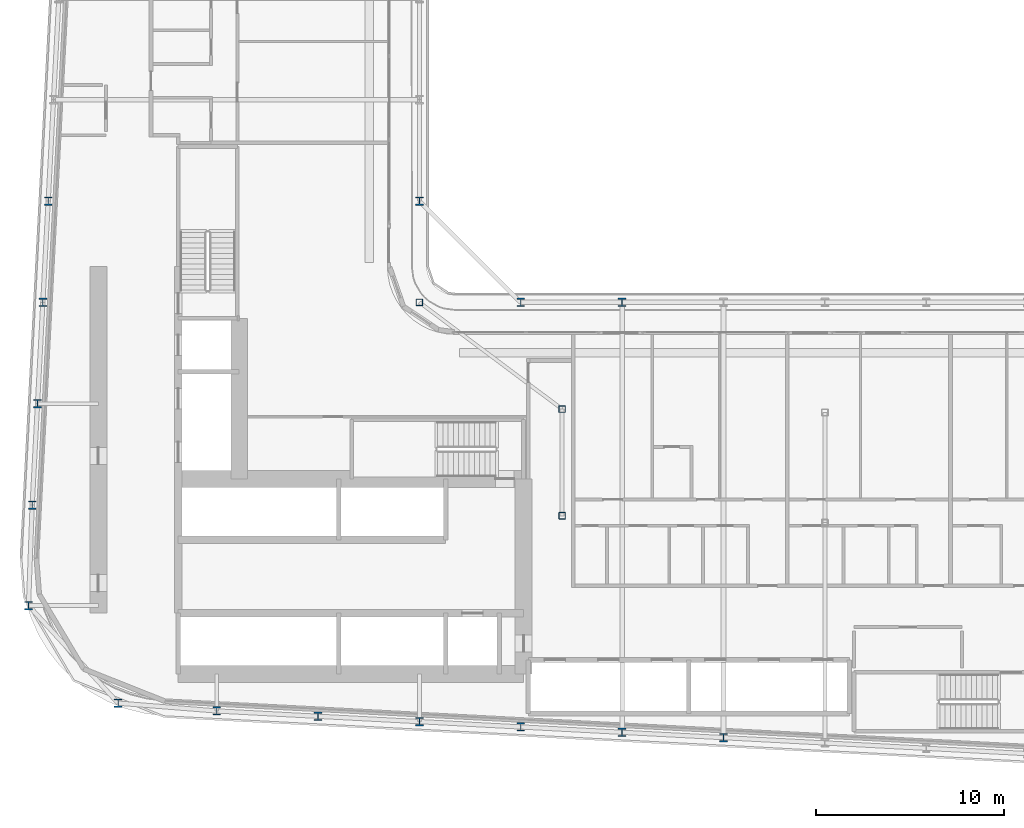
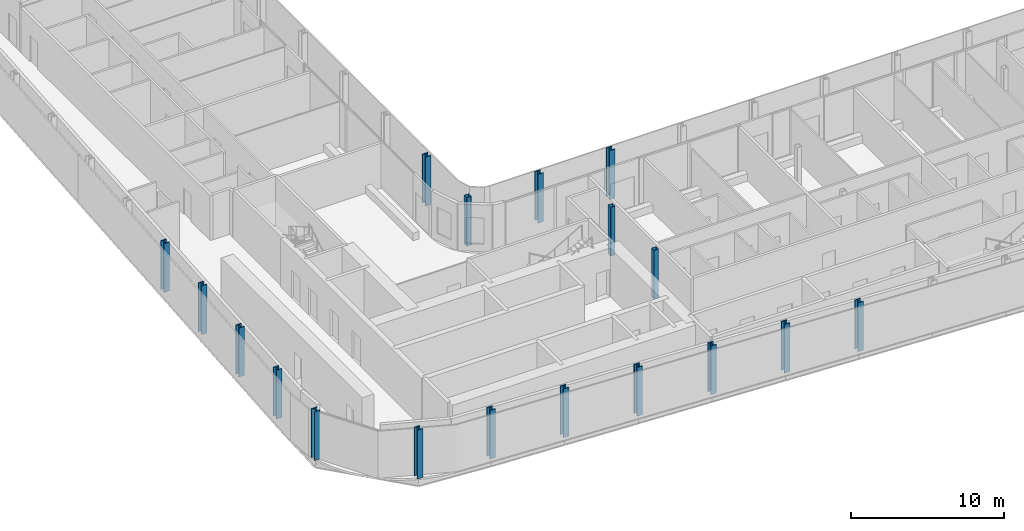
# One storey, part 1 of 25: 18 columns.
"""IFC4 building model written with IfcOpenShell, lengths in metres."""

from ifc_helpers import new_model, si_unit, direction, frame, origin, origin_2d, place, context, subcontext, project, spatial, hollow_rectangle, i_section, extrude, material, material_profile, profile_set, type_object, element, save


model = new_model("IFC4")

# Units and contexts
model_context = context("Model", 3, precision=1e-05, world=origin(), true_north=direction((0.0, 1.0)))
body_context = subcontext(model_context, "Body", "Model", "MODEL_VIEW")
ifc_project = project(units=[si_unit("LENGTHUNIT", "METRE"), si_unit("AREAUNIT", "SQUARE_METRE"), si_unit("VOLUMEUNIT", "CUBIC_METRE"), si_unit("PLANEANGLEUNIT", "RADIAN"), si_unit("MASSUNIT", "GRAM", prefix="KILO")], contexts=[model_context])

# Site, building, storey
site_placement = place(None, origin())
site = spatial("IfcSite", under=ifc_project, at=site_placement, CompositionType="ELEMENT")
building_placement = place(site_placement, origin())
building = spatial("IfcBuilding", under=site, at=building_placement, Name="Kheshtan School and Residences Tower", CompositionType="ELEMENT")
storey_placement = place(building_placement, frame((0.0, 0.0, 113.60009765625)))
storey = spatial("IfcBuildingStorey", under=building, at=storey_placement, Name="L26", CompositionType="ELEMENT", Elevation=113.60009765625)

# Columns
ifc_material_1 = material(Name="Steel ASTM A992 Grade 50", Category="steel")
ifc_material_profile_1 = material_profile(ifc_material_1, i_section(OverallWidth=0.41796875, OverallDepth=0.455078125, WebThickness=0.042236328125, FlangeThickness=0.067626953125, FilletRadius=0.013671875, at=origin_2d()), Name="W360x551")
ifc_profile_set_1 = profile_set([ifc_material_profile_1], Name="Steel ASTM A992 Grade 50")
column_type_1 = type_object("IfcColumnType", Name="Column C2 W360x551 ASTM A992 Grade 50", PredefinedType="COLUMN", material=ifc_profile_set_1)
for number, where, z_axis, x_axis, name in (
    (1, (63.800048828125, 22.410888671875, 0.0), (0.0, 0.0, 1.0), (1.0, 0.0, 0.0), "Column C016"),
    (2, (58.39990234375, 22.695068359375, 0.0), (0.0, 0.0, 1.0), (1.0, 0.0, 0.0), "Column C018"),
    (3, (53.0, 22.97998046875, 0.0), (0.0, 0.0, 1.0), (1.0, 0.0, 0.0), "Column C019"),
    (4, (47.60009765625, 23.263916015625, 0.0), (0.0, 0.0, 1.0), (1.0, 0.0, 0.0), "Column C020"),
    (5, (42.199951171875, 23.548095703125, 0.0), (0.0, 0.0, 1.0), (1.0, 0.0, 0.0), "Column C021"),
    (6, (36.800048828125, 23.83203125, 0.0), (0.0, 0.0, 1.0), (1.0, 0.0, 0.0), "Column C022"),
    (7, (31.549072265625, 24.25, 0.0), (0.0, 0.0, 1.0), (1.0, 0.0, 0.0), "Column C024"),
    (8, (26.77197265625, 29.449951171875, 0.0), (0.0, 0.0, 1.0), (1.0, 0.0, 0.0), "Column C037"),
    (9, (26.968994140625, 34.800048828125, 0.0), (0.0, 0.0, 1.0), (1.0, 0.0, 0.0), "Column C052"),
    (10, (27.2529296875, 40.199951171875, 0.0), (0.0, 0.0, 1.0), (1.0, 0.0, 0.0), "Column C056"),
    (11, (27.537109375, 45.60009765625, 0.0), (0.0, 0.0, 1.0), (1.0, 0.0, 0.0), "Column C059"),
    (12, (53.0, 45.60009765625, 0.0), (0.0, 0.0, 1.0), (1.0, 0.0, 0.0), "Column C061"),
    (13, (58.39990234375, 45.60009765625, 0.0), (0.0, 0.0, 1.0), (1.0, 0.0, 0.0), "Column C062"),
    (14, (27.822021484375, 51.0, 0.0), (0.0, 0.0, 1.0), (1.0, 0.0, 0.0), "Column C078"),
    (15, (47.60009765625, 51.0, 0.0), (0.0, 0.0, 1.0), (1.0, 0.0, 0.0), "Column C079"),
):
    element("IfcColumn", number, at=place(storey_placement, frame(where, z_axis=z_axis, x_axis=x_axis)), inside=storey, type_object=column_type_1, Name=name, PredefinedType="COLUMN", context=body_context, shape_type="SweptSolid", body=[
        extrude(i_section(OverallWidth=0.41796875, OverallDepth=0.455078125, WebThickness=0.042236328125, FlangeThickness=0.067626953125, FilletRadius=0.013671875, at=origin_2d()), origin(), (0.0, 0.0, 1.0), 3.89990234375),
    ])
ifc_material_2 = material(Name="Steel ASTM A500 Grade C", Category="steel")
ifc_material_profile_2 = material_profile(ifc_material_2, hollow_rectangle(XDim=0.35595703125, YDim=0.35595703125, WallThickness=0.015869140625, InnerFilletRadius=0.015869140625, OuterFilletRadius=0.03173828125, at=origin_2d()), Name="HSS 356x356x15.9")
ifc_profile_set_2 = profile_set([ifc_material_profile_2], Name="Steel ASTM A500 Grade C")
column_type_2 = type_object("IfcColumnType", Name="Column IC1 HSS 356x356x15.9 ASTM A500 Grade C", PredefinedType="COLUMN", material=ifc_profile_set_2)
for number, where, z_axis, x_axis, name in (
    (16, (55.199951171875, 34.23193359375, 0.0), (0.0, 0.0, 1.0), (1.0, 0.0, 0.0), "Column C051"),
    (17, (55.199951171875, 39.916015625, 0.0), (0.0, 0.0, 1.0), (1.0, 0.0, 0.0), "Column C055"),
    (18, (47.60009765625, 45.60009765625, 0.0), (0.0, 0.0, 1.0), (1.0, 0.0, 0.0), "Column C060"),
):
    element("IfcColumn", number, at=place(storey_placement, frame(where, z_axis=z_axis, x_axis=x_axis)), inside=storey, type_object=column_type_2, Name=name, PredefinedType="COLUMN", context=body_context, shape_type="SweptSolid", body=[
        extrude(hollow_rectangle(XDim=0.35595703125, YDim=0.35595703125, WallThickness=0.015869140625, InnerFilletRadius=0.015869140625, OuterFilletRadius=0.03173828125, at=origin_2d()), origin(), (0.0, 0.0, 1.0), 3.89990234375),
    ])

save(model, "model.ifc")
